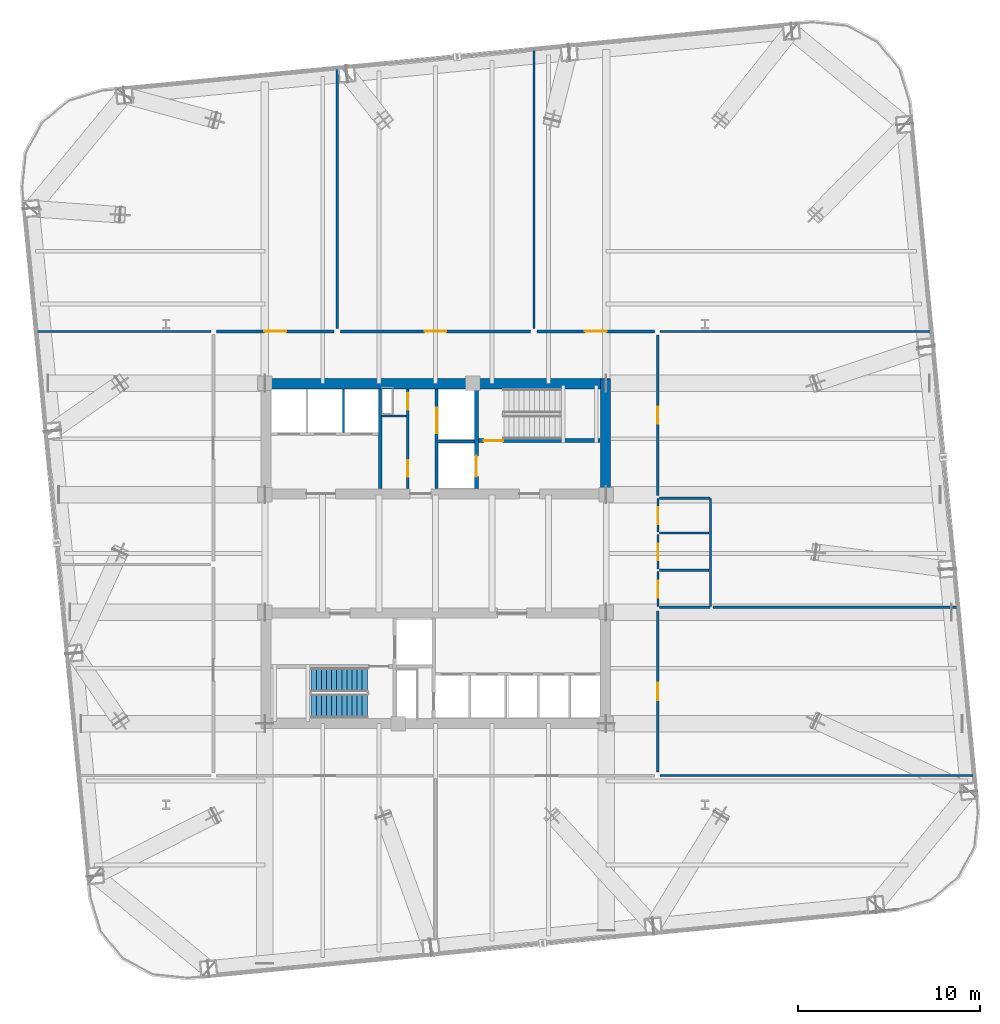
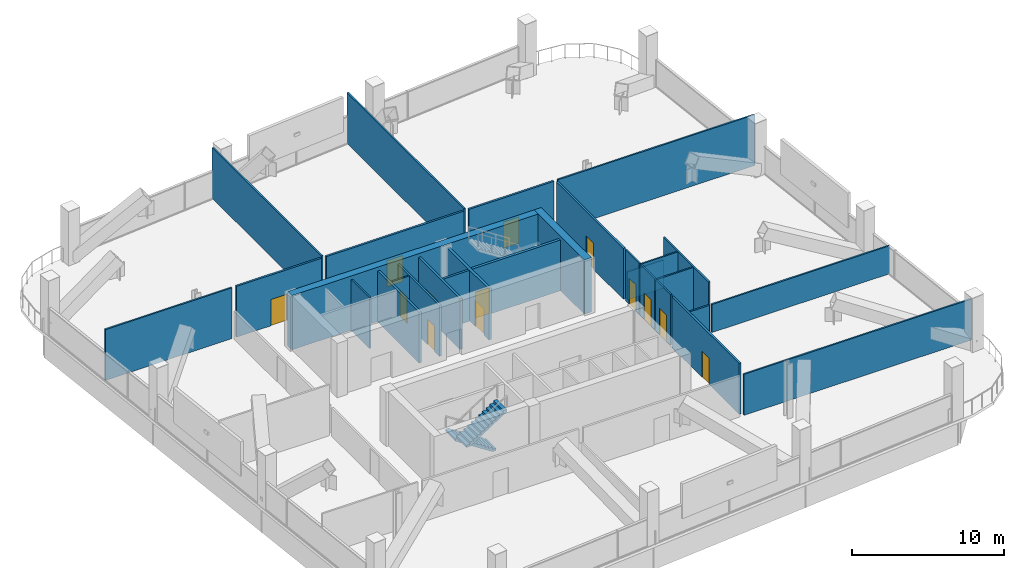
# One storey, part 26 of 30: 29 walls, 13 doors, 2 stair flights, 13 openings, 1 element without a shape of its own.
"""IFC4 building model written with IfcOpenShell, lengths in metres."""

from ifc_helpers import new_model, si_unit, direction, frame, frame_2d, origin, place, context, subcontext, project, spatial, polyline, rectangle, outline, extrude, material, layer, layer_set, type_object, element, fill, aggregate, save


model = new_model("IFC4")

# Units and contexts
model_context = context("Model", 3, precision=1e-05, world=origin(), true_north=direction((0.0, 1.0)))
body_context = subcontext(model_context, "Body", "Model", "MODEL_VIEW")
ifc_project = project(units=[si_unit("LENGTHUNIT", "METRE"), si_unit("AREAUNIT", "SQUARE_METRE"), si_unit("VOLUMEUNIT", "CUBIC_METRE"), si_unit("PLANEANGLEUNIT", "RADIAN"), si_unit("MASSUNIT", "GRAM", prefix="KILO")], contexts=[model_context])

# Site, building, storey
site_placement = place(None, origin())
site = spatial("IfcSite", under=ifc_project, at=site_placement, CompositionType="ELEMENT")
building_placement = place(site_placement, origin())
building = spatial("IfcBuilding", under=site, at=building_placement, Name="Qhalaya Broadcast Tower", CompositionType="ELEMENT")
storey_placement = place(building_placement, frame((0.0, 0.0, 96.89990234375)))
storey = spatial("IfcBuildingStorey", under=building, at=storey_placement, Name="L28", CompositionType="ELEMENT", Elevation=96.89990234375)

# Wall, openings, doors
ifc_material_1 = material(Name="Gypsum Acoustic Partition")
ifc_layer_1 = layer(ifc_material_1, 0.14990234375, Name="Gypsum Acoustic Partition")
ifc_layer_set_1 = layer_set([ifc_layer_1], Name="Gypsum Acoustic Partition")
wall_type_1 = type_object("IfcWallType", Name="Corridor & Tenancy Acoustic Partition 150", PredefinedType="PARTITIONING", material=ifc_layer_set_1)
wall_1_placement = place(storey_placement, frame((-1.52001953125, 4.169921875, 0.0), z_axis=(0.0, 0.0, 1.0), x_axis=(0.0, 1.0, 0.0)))
wall_1 = element("IfcWall", 1, at=wall_1_placement, inside=storey, type_object=wall_type_1, Name="L28 Partition Wall NCW-SVL", PredefinedType="PARTITIONING", context=body_context, shape_type="SweptSolid", body=[
    extrude(rectangle(XDim=5.4599609375, YDim=0.14990234375, at=frame_2d((2.72998046875, 0.0))), origin(), (0.0, 0.0, 1.0), 4.070068359375),
])
opening_1_placement = place(wall_1_placement, frame((4.330078125, 0.0, 0.0)))
opening_1 = element("IfcOpeningElement", 2, at=opening_1_placement, cuts=wall_1, Name="Opening D06", PredefinedType="OPENING", context=body_context, shape_type="SweptSolid", body=[
    extrude(rectangle(XDim=0.89990234375, YDim=2.050048828125, at=frame_2d((0.449951171875, 1.02490234375))), frame((0.0, 0.0869140625, 0.0), z_axis=(0.0, -1.0, 0.0), x_axis=(1.0, 0.0, 0.0)), (0.0, 0.0, 1.0), 0.173828125),
])
opening_2_placement = place(wall_1_placement, frame((0.64990234375, 0.0, 0.0)))
opening_2 = element("IfcOpeningElement", 3, at=opening_2_placement, cuts=wall_1, Name="Opening D06", PredefinedType="OPENING", context=body_context, shape_type="SweptSolid", body=[
    extrude(rectangle(XDim=0.89990234375, YDim=2.050048828125, at=frame_2d((0.449951171875, 1.02490234375))), frame((0.0, 0.0869140625, 0.0), z_axis=(0.0, -1.0, 0.0), x_axis=(1.0, 0.0, 0.0)), (0.0, 0.0, 1.0), 0.173828125),
])
ifc_material_2 = material(Name="Fire-Rated Steel Door", Category="steel")
door_type_1 = type_object("IfcDoorType", Name="Riser & Electrical Shaft Access Door D06", OperationType="NOTDEFINED", PredefinedType="DOOR", material=ifc_material_2)
door_1_placement = place(opening_1_placement, origin())
door_1 = element("IfcDoor", 4, at=door_1_placement, inside=storey, type_object=door_type_1, Name="L28 Riser Shaft Access Door D-NRSR", OperationType="SINGLE_SWING_RIGHT", OverallHeight=2.050048828125, OverallWidth=0.89990234375, PredefinedType="DOOR", context=body_context, shape_type="SweptSolid", body=[
    extrude(rectangle(XDim=0.89990234375, YDim=2.050048828125, at=frame_2d((0.449951171875, 1.02490234375))), frame((0.0, 0.02490234375, 0.0), z_axis=(0.0, -1.0, 0.0), x_axis=(1.0, 0.0, 0.0)), (0.0, 0.0, 1.0), 0.050048828125),
])
fill(opening_1, door_1)
door_2_placement = place(opening_2_placement, origin())
door_2 = element("IfcDoor", 5, at=door_2_placement, inside=storey, type_object=door_type_1, Name="L28 Door D-NCST", OperationType="SINGLE_SWING_LEFT", OverallHeight=2.050048828125, OverallWidth=0.89990234375, PredefinedType="DOOR", context=body_context, shape_type="SweptSolid", body=[
    extrude(rectangle(XDim=0.89990234375, YDim=2.050048828125, at=frame_2d((0.449951171875, 1.02490234375))), frame((0.0, 0.02490234375, 0.0), z_axis=(0.0, -1.0, 0.0), x_axis=(1.0, 0.0, 0.0)), (0.0, 0.0, 1.0), 0.050048828125),
])
fill(opening_2, door_2)

# Wall, opening, door
wall_2_placement = place(storey_placement, frame((-12.02001953125, 12.800048828125, 0.0), z_axis=(0.0, 0.0, 1.0), x_axis=(1.0, 0.0, 0.0)))
wall_2 = element("IfcWall", 6, at=wall_2_placement, inside=storey, type_object=wall_type_1, Name="L28 Partition Wall W-COR-01", PredefinedType="PARTITIONING", context=body_context, shape_type="SweptSolid", body=[
    extrude(rectangle(XDim=6.43994140625, YDim=0.14990234375, at=frame_2d((3.219970703125, 0.0))), origin(), (0.0, 0.0, 1.0), 4.070068359375),
])
opening_3_placement = place(wall_2_placement, frame((2.6201171875, 0.0, 0.0)))
opening_3 = element("IfcOpeningElement", 7, at=opening_3_placement, cuts=wall_2, Name="Opening D11", PredefinedType="OPENING", context=body_context, shape_type="SweptSolid", body=[
    extrude(rectangle(XDim=1.199951171875, YDim=2.10009765625, at=frame_2d((0.60009765625, 1.050048828125))), frame((0.0, 0.0869140625, 0.0), z_axis=(0.0, -1.0, 0.0), x_axis=(1.0, 0.0, 0.0)), (0.0, 0.0, 1.0), 0.173828125),
])
ifc_material_3 = material(Name="Anodised Aluminium Glazed Door", Category="aluminium")
door_type_2 = type_object("IfcDoorType", Name="Conference, Boardroom & Studio Control Door D11", OperationType="NOTDEFINED", PredefinedType="DOOR", material=ifc_material_3)
door_3_placement = place(opening_3_placement, origin())
door_3 = element("IfcDoor", 8, at=door_3_placement, inside=storey, type_object=door_type_2, Name="L28 Door D-RM01", OperationType="SINGLE_SWING_RIGHT", OverallHeight=2.10009765625, OverallWidth=1.199951171875, PredefinedType="DOOR", context=body_context, shape_type="SweptSolid", body=[
    extrude(rectangle(XDim=1.199951171875, YDim=2.10009765625, at=frame_2d((0.60009765625, 1.050048828125))), frame((0.0, 0.02490234375, 0.0), z_axis=(0.0, -1.0, 0.0), x_axis=(1.0, 0.0, 0.0)), (0.0, 0.0, 1.0), 0.050048828125),
])
fill(opening_3, door_3)

wall_3_placement = place(storey_placement, frame((-5.219970703125, 12.800048828125, 0.0), z_axis=(0.0, 0.0, 1.0), x_axis=(1.0, 0.0, 0.0)))
wall_3 = element("IfcWall", 9, at=wall_3_placement, inside=storey, type_object=wall_type_1, Name="L28 Partition Wall W-COR-02", PredefinedType="PARTITIONING", context=body_context, shape_type="SweptSolid", body=[
    extrude(rectangle(XDim=10.43994140625, YDim=0.14990234375, at=frame_2d((5.219970703125, 0.0))), origin(), (0.0, 0.0, 1.0), 4.070068359375),
])
opening_4_placement = place(wall_3_placement, frame((4.6201171875, 0.0, 0.0)))
opening_4 = element("IfcOpeningElement", 10, at=opening_4_placement, cuts=wall_3, Name="Opening D11", PredefinedType="OPENING", context=body_context, shape_type="SweptSolid", body=[
    extrude(rectangle(XDim=1.199951171875, YDim=2.10009765625, at=frame_2d((0.60009765625, 1.050048828125))), frame((0.0, 0.0869140625, 0.0), z_axis=(0.0, -1.0, 0.0), x_axis=(1.0, 0.0, 0.0)), (0.0, 0.0, 1.0), 0.173828125),
])
door_4_placement = place(opening_4_placement, origin())
door_4 = element("IfcDoor", 11, at=door_4_placement, inside=storey, type_object=door_type_2, Name="L28 Door D-RM02", OperationType="SINGLE_SWING_LEFT", OverallHeight=2.10009765625, OverallWidth=1.199951171875, PredefinedType="DOOR", context=body_context, shape_type="SweptSolid", body=[
    extrude(rectangle(XDim=1.199951171875, YDim=2.10009765625, at=frame_2d((0.60009765625, 1.050048828125))), frame((0.0, 0.02490234375, 0.0), z_axis=(0.0, -1.0, 0.0), x_axis=(1.0, 0.0, 0.0)), (0.0, 0.0, 1.0), 0.050048828125),
])
fill(opening_4, door_4)

wall_4_placement = place(storey_placement, frame((5.580078125, 12.800048828125, 0.0), z_axis=(0.0, 0.0, 1.0), x_axis=(1.0, 0.0, 0.0)))
wall_4 = element("IfcWall", 12, at=wall_4_placement, inside=storey, type_object=wall_type_1, Name="L28 Partition Wall W-COR-03", PredefinedType="PARTITIONING", context=body_context, shape_type="SweptSolid", body=[
    extrude(rectangle(XDim=6.43994140625, YDim=0.14990234375, at=frame_2d((3.219970703125, 0.0))), origin(), (0.0, 0.0, 1.0), 4.070068359375),
])
opening_5_placement = place(wall_4_placement, frame((2.6201171875, 0.0, 0.0)))
opening_5 = element("IfcOpeningElement", 13, at=opening_5_placement, cuts=wall_4, Name="Opening D11", PredefinedType="OPENING", context=body_context, shape_type="SweptSolid", body=[
    extrude(rectangle(XDim=1.199951171875, YDim=2.10009765625, at=frame_2d((0.60009765625, 1.050048828125))), frame((0.0, 0.0869140625, 0.0), z_axis=(0.0, -1.0, 0.0), x_axis=(1.0, 0.0, 0.0)), (0.0, 0.0, 1.0), 0.173828125),
])
door_5_placement = place(opening_5_placement, origin())
door_5 = element("IfcDoor", 14, at=door_5_placement, inside=storey, type_object=door_type_2, Name="L28 Door D-RM03", OperationType="SINGLE_SWING_RIGHT", OverallHeight=2.10009765625, OverallWidth=1.199951171875, PredefinedType="DOOR", context=body_context, shape_type="SweptSolid", body=[
    extrude(rectangle(XDim=1.199951171875, YDim=2.10009765625, at=frame_2d((0.60009765625, 1.050048828125))), frame((0.0, 0.02490234375, 0.0), z_axis=(0.0, -1.0, 0.0), x_axis=(1.0, 0.0, 0.0)), (0.0, 0.0, 1.0), 0.050048828125),
])
fill(opening_5, door_5)

wall_5_placement = place(storey_placement, frame((12.199951171875, -11.39990234375, 0.0), z_axis=(0.0, 0.0, 1.0), x_axis=(0.0, 1.0, 0.0)))
wall_5 = element("IfcWall", 15, at=wall_5_placement, inside=storey, type_object=wall_type_1, Name="L28 Partition Wall W-COR-08", PredefinedType="PARTITIONING", context=body_context, shape_type="SweptSolid", body=[
    extrude(rectangle(XDim=8.83984375, YDim=0.14990234375, at=frame_2d((4.419921875, 0.0))), origin(), (0.0, 0.0, 1.0), 4.070068359375),
])
opening_6_placement = place(wall_5_placement, frame((3.945068359375, 0.0, 0.0)))
opening_6 = element("IfcOpeningElement", 16, at=opening_6_placement, cuts=wall_5, Name="Opening D10", PredefinedType="OPENING", context=body_context, shape_type="SweptSolid", body=[
    extrude(rectangle(XDim=0.949951171875, YDim=2.10009765625, at=frame_2d((0.47509765625, 1.050048828125))), frame((0.0, 0.0869140625, 0.0), z_axis=(0.0, -1.0, 0.0), x_axis=(1.0, 0.0, 0.0)), (0.0, 0.0, 1.0), 0.173828125),
])
ifc_material_4 = material(Name="Timber Veneer Acoustic Door", Category="wood")
door_type_3 = type_object("IfcDoorType", Name="Cellular Office & Edit Booth Door D10", OperationType="NOTDEFINED", PredefinedType="DOOR", material=ifc_material_4)
door_6_placement = place(opening_6_placement, origin())
door_6 = element("IfcDoor", 17, at=door_6_placement, inside=storey, type_object=door_type_3, Name="L28 Door D-RM08", OperationType="SINGLE_SWING_LEFT", OverallHeight=2.10009765625, OverallWidth=0.949951171875, PredefinedType="DOOR", context=body_context, shape_type="SweptSolid", body=[
    extrude(rectangle(XDim=0.949951171875, YDim=2.10009765625, at=frame_2d((0.47509765625, 1.050048828125))), frame((0.0, 0.02490234375, 0.0), z_axis=(0.0, -1.0, 0.0), x_axis=(1.0, 0.0, 0.0)), (0.0, 0.0, 1.0), 0.050048828125),
])
fill(opening_6, door_6)

wall_6_placement = place(storey_placement, frame((12.199951171875, 3.800048828125, 0.0), z_axis=(0.0, 0.0, 1.0), x_axis=(0.0, 1.0, 0.0)))
wall_6 = element("IfcWall", 18, at=wall_6_placement, inside=storey, type_object=wall_type_1, Name="L28 Partition Wall W-COR-09", PredefinedType="PARTITIONING", context=body_context, shape_type="SweptSolid", body=[
    extrude(rectangle(XDim=8.800048828125, YDim=0.14990234375, at=frame_2d((4.39990234375, 0.0))), origin(), (0.0, 0.0, 1.0), 4.070068359375),
])
opening_7_placement = place(wall_6_placement, frame((3.925048828125, 0.0, 0.0)))
opening_7 = element("IfcOpeningElement", 19, at=opening_7_placement, cuts=wall_6, Name="Opening D10", PredefinedType="OPENING", context=body_context, shape_type="SweptSolid", body=[
    extrude(rectangle(XDim=0.949951171875, YDim=2.10009765625, at=frame_2d((0.47509765625, 1.050048828125))), frame((0.0, 0.0869140625, 0.0), z_axis=(0.0, -1.0, 0.0), x_axis=(1.0, 0.0, 0.0)), (0.0, 0.0, 1.0), 0.173828125),
])
door_7_placement = place(opening_7_placement, origin())
door_7 = element("IfcDoor", 20, at=door_7_placement, inside=storey, type_object=door_type_3, Name="L28 Door D-RM09", OperationType="SINGLE_SWING_RIGHT", OverallHeight=2.10009765625, OverallWidth=0.949951171875, PredefinedType="DOOR", context=body_context, shape_type="SweptSolid", body=[
    extrude(rectangle(XDim=0.949951171875, YDim=2.10009765625, at=frame_2d((0.47509765625, 1.050048828125))), frame((0.0, 0.02490234375, 0.0), z_axis=(0.0, -1.0, 0.0), x_axis=(1.0, 0.0, 0.0)), (0.0, 0.0, 1.0), 0.050048828125),
])
fill(opening_7, door_7)

ifc_material_5 = material(Name="Concrete C50/60", Category="concrete")
ifc_layer_2 = layer(ifc_material_5, 0.199951171875, Name="Concrete C50/60")
ifc_layer_set_2 = layer_set([ifc_layer_2], Name="Concrete C50/60")
wall_type_2 = type_object("IfcWallType", Name="Load-Bearing Stair Shaft Wall 200", PredefinedType="SHEAR", material=ifc_layer_set_2)
wall_7_placement = place(storey_placement, frame((2.360107421875, 6.804931640625, 0.0), z_axis=(0.0, 0.0, 1.0), x_axis=(1.0, 0.0, 0.0)))
wall_7 = element("IfcWall", 21, at=wall_7_placement, inside=storey, type_object=wall_type_2, Name="L28 Stair Core Shear Wall NCW-ST1", PredefinedType="SHEAR", context=body_context, shape_type="SweptSolid", body=[
    extrude(rectangle(XDim=6.669921875, YDim=0.199951171875, at=frame_2d((3.3349609375, 0.0))), origin(), (0.0, 0.0, 1.0), 4.070068359375),
])
opening_8_placement = place(wall_7_placement, frame((0.300048828125, 0.0, 0.0)))
opening_8 = element("IfcOpeningElement", 22, at=opening_8_placement, cuts=wall_7, Name="Opening D03", PredefinedType="OPENING", context=body_context, shape_type="SweptSolid", body=[
    extrude(rectangle(XDim=1.050048828125, YDim=2.080078125, at=frame_2d((0.52490234375, 1.0400390625))), frame((0.0, 0.112060546875, 0.0), z_axis=(0.0, -1.0, 0.0), x_axis=(1.0, 0.0, 0.0)), (0.0, 0.0, 1.0), 0.223876953125),
])
door_type_4 = type_object("IfcDoorType", Name="Core Stair Protected Fire Door D03", OperationType="NOTDEFINED", PredefinedType="DOOR", material=ifc_material_2)
door_8_placement = place(opening_8_placement, origin())
door_8 = element("IfcDoor", 23, at=door_8_placement, inside=storey, type_object=door_type_4, Name="L28 Door D-NST1", OperationType="SINGLE_SWING_LEFT", OverallHeight=2.080078125, OverallWidth=1.050048828125, PredefinedType="DOOR", context=body_context, shape_type="SweptSolid", body=[
    extrude(rectangle(XDim=1.050048828125, YDim=2.080078125, at=frame_2d((0.52490234375, 1.0400390625))), frame((0.0, 0.02490234375, 0.0), z_axis=(0.0, -1.0, 0.0), x_axis=(1.0, 0.0, 0.0)), (0.0, 0.0, 1.0), 0.050048828125),
])
fill(opening_8, door_8)

wall_8_placement = place(storey_placement, frame((2.25, 4.169921875, 0.0), z_axis=(0.0, 0.0, 1.0), x_axis=(0.0, 1.0, 0.0)))
wall_8 = element("IfcWall", 24, at=wall_8_placement, inside=storey, type_object=wall_type_2, Name="L28 Stair Core Shear Wall NCW-FF", PredefinedType="SHEAR", context=body_context, shape_type="SweptSolid", body=[
    extrude(rectangle(XDim=5.4599609375, YDim=0.199951171875, at=frame_2d((2.72998046875, 0.0))), origin(), (0.0, 0.0, 1.0), 4.070068359375),
])
opening_9_placement = place(wall_8_placement, frame((0.64990234375, 0.0, 0.0)))
opening_9 = element("IfcOpeningElement", 25, at=opening_9_placement, cuts=wall_8, Name="Opening LD2", PredefinedType="OPENING", context=body_context, shape_type="SweptSolid", body=[
    extrude(rectangle(XDim=1.14990234375, YDim=2.080078125, at=frame_2d((0.574951171875, 1.0400390625))), frame((0.0, 0.112060546875, 0.0), z_axis=(0.0, -1.0, 0.0), x_axis=(1.0, 0.0, 0.0)), (0.0, 0.0, 1.0), 0.223876953125),
])
ifc_material_6 = material(Name="Brushed Stainless Steel Lift Door", Category="steel")
door_type_5 = type_object("IfcDoorType", Name="Firefighting Lift Sliding Landing Door LD2", OperationType="DOUBLE_DOOR_SLIDING", PredefinedType="DOOR", material=ifc_material_6)
door_9_placement = place(opening_9_placement, origin())
door_9 = element("IfcDoor", 26, at=door_9_placement, inside=storey, type_object=door_type_5, Name="L28 Door LD-FF1", OperationType="DOUBLE_DOOR_SLIDING", OverallHeight=2.080078125, OverallWidth=1.14990234375, PredefinedType="DOOR", context=body_context, shape_type="SweptSolid", body=[
    extrude(rectangle(XDim=1.14990234375, YDim=2.080078125, at=frame_2d((0.574951171875, 1.0400390625))), frame((0.0, 0.02490234375, 0.0), z_axis=(0.0, -1.0, 0.0), x_axis=(1.0, 0.0, 0.0)), (0.0, 0.0, 1.0), 0.050048828125),
])
fill(opening_9, door_9)

# Walls
ifc_material_7 = material(Name="Concrete C60/75", Category="concrete")
ifc_layer_3 = layer(ifc_material_7, 0.550048828125, Name="Concrete C60/75")
ifc_layer_set_3 = layer_set([ifc_layer_3], Name="Concrete C60/75")
wall_type_3 = type_object("IfcWallType", Name="Lower Split-Core Shear Wall 550", PredefinedType="SHEAR", material=ifc_layer_set_3)
wall_9_placement = place(storey_placement, frame((-9.60009765625, 9.925048828125, 0.0), z_axis=(0.0, 0.0, 1.0), x_axis=(1.0, 0.0, 0.0)))
element("IfcWall", 27, at=wall_9_placement, inside=storey, type_object=wall_type_3, Name="L28 Split-Core Shear Wall CW-NN", PredefinedType="SHEAR", context=body_context, shape_type="SweptSolid", body=[
    extrude(rectangle(XDim=19.2001953125, YDim=0.550048828125, at=frame_2d((9.60009765625, 0.0))), origin(), (0.0, 0.0, 1.0), 4.35009765625),
])
wall_10_placement = place(storey_placement, frame((9.324951171875, 3.60009765625, 0.0), z_axis=(0.0, 0.0, 1.0), x_axis=(0.0, 1.0, 0.0)))
element("IfcWall", 28, at=wall_10_placement, inside=storey, type_object=wall_type_3, Name="L28 Split-Core Shear Wall CW-NE", PredefinedType="SHEAR", context=body_context, shape_type="SweptSolid", body=[
    extrude(rectangle(XDim=6.599853515625, YDim=0.550048828125, at=frame_2d((3.2998046875, 0.0))), origin(), (0.0, 0.0, 1.0), 4.35009765625),
])
ifc_layer_4 = layer(ifc_material_1, 0.1201171875, Name="Gypsum Acoustic Partition")
ifc_layer_set_4 = layer_set([ifc_layer_4], Name="Gypsum Acoustic Partition")
wall_type_4 = type_object("IfcWallType", Name="Office, Booth & Sanitary Partition 120", PredefinedType="PARTITIONING", material=ifc_layer_set_4)
wall_11_placement = place(storey_placement, frame((-2.9599609375, 8.14990234375, 0.0), z_axis=(0.0, 0.0, 1.0), x_axis=(1.0, 0.0, 0.0)))
element("IfcWall", 29, at=wall_11_placement, inside=storey, type_object=wall_type_4, Name="L28 Partition Wall NCW-VA", PredefinedType="PARTITIONING", context=body_context, shape_type="SweptSolid", body=[
    extrude(rectangle(XDim=1.35986328125, YDim=0.1201171875, at=frame_2d((0.679931640625, 0.0))), origin(), (0.0, 0.0, 1.0), 4.070068359375),
])
wall_12_placement = place(storey_placement, frame((-5.06005859375, 7.25, 0.0), z_axis=(0.0, 0.0, 1.0), x_axis=(0.0, 1.0, 0.0)))
element("IfcWall", 30, at=wall_12_placement, inside=storey, type_object=wall_type_4, Name="L28 Partition Wall NCW-PD2", PredefinedType="PARTITIONING", context=body_context, shape_type="SweptSolid", body=[
    extrude(rectangle(XDim=2.3798828125, YDim=0.1201171875, at=frame_2d((1.18994140625, 0.0))), origin(), (0.0, 0.0, 1.0), 4.070068359375),
])

# Wall, opening, door
wall_13_placement = place(storey_placement, frame((12.219970703125, -2.320068359375, 0.0), z_axis=(0.0, 0.0, 1.0), x_axis=(0.0, 1.0, 0.0)))
wall_13 = element("IfcWall", 31, at=wall_13_placement, inside=storey, type_object=wall_type_4, Name="L28 Partition Wall W-WCWA", PredefinedType="PARTITIONING", context=body_context, shape_type="SweptSolid", body=[
    extrude(rectangle(XDim=1.940185546875, YDim=0.1201171875, at=frame_2d((0.97021484375, 0.0))), origin(), (0.0, 0.0, 1.0), 4.070068359375),
])
opening_10_placement = place(wall_13_placement, frame((0.4951171875, 0.0, 0.0)))
opening_10 = element("IfcOpeningElement", 32, at=opening_10_placement, cuts=wall_13, Name="Opening D12", PredefinedType="OPENING", context=body_context, shape_type="SweptSolid", body=[
    extrude(rectangle(XDim=0.919921875, YDim=2.10009765625, at=frame_2d((0.4599609375, 1.050048828125))), frame((0.0, 0.072021484375, 0.0), z_axis=(0.0, -1.0, 0.0), x_axis=(1.0, 0.0, 0.0)), (0.0, 0.0, 1.0), 0.14404296875),
])
door_type_6 = type_object("IfcDoorType", Name="Accessible WC & Restroom Door D12", OperationType="NOTDEFINED", PredefinedType="DOOR", material=ifc_material_4)
door_10_placement = place(opening_10_placement, origin())
door_10 = element("IfcDoor", 33, at=door_10_placement, inside=storey, type_object=door_type_6, Name="L28 Door D-WCA", OperationType="SINGLE_SWING_LEFT", OverallHeight=2.10009765625, OverallWidth=0.919921875, PredefinedType="DOOR", context=body_context, shape_type="SweptSolid", body=[
    extrude(rectangle(XDim=0.919921875, YDim=2.10009765625, at=frame_2d((0.4599609375, 1.050048828125))), frame((0.0, 0.02490234375, 0.0), z_axis=(0.0, -1.0, 0.0), x_axis=(1.0, 0.0, 0.0)), (0.0, 0.0, 1.0), 0.050048828125),
])
fill(opening_10, door_10)

wall_14_placement = place(storey_placement, frame((12.219970703125, -0.25, 0.0), z_axis=(0.0, 0.0, 1.0), x_axis=(0.0, 1.0, 0.0)))
wall_14 = element("IfcWall", 34, at=wall_14_placement, inside=storey, type_object=wall_type_4, Name="L28 Partition Wall W-WCWM", PredefinedType="PARTITIONING", context=body_context, shape_type="SweptSolid", body=[
    extrude(rectangle(XDim=1.89990234375, YDim=0.1201171875, at=frame_2d((0.949951171875, 0.0))), origin(), (0.0, 0.0, 1.0), 4.070068359375),
])
opening_11_placement = place(wall_14_placement, frame((0.47509765625, 0.0, 0.0)))
opening_11 = element("IfcOpeningElement", 35, at=opening_11_placement, cuts=wall_14, Name="Opening D12", PredefinedType="OPENING", context=body_context, shape_type="SweptSolid", body=[
    extrude(rectangle(XDim=0.919921875, YDim=2.10009765625, at=frame_2d((0.4599609375, 1.050048828125))), frame((0.0, 0.072021484375, 0.0), z_axis=(0.0, -1.0, 0.0), x_axis=(1.0, 0.0, 0.0)), (0.0, 0.0, 1.0), 0.14404296875),
])
door_11_placement = place(opening_11_placement, origin())
door_11 = element("IfcDoor", 36, at=door_11_placement, inside=storey, type_object=door_type_6, Name="L28 Door D-WCM", OperationType="SINGLE_SWING_RIGHT", OverallHeight=2.10009765625, OverallWidth=0.919921875, PredefinedType="DOOR", context=body_context, shape_type="SweptSolid", body=[
    extrude(rectangle(XDim=0.919921875, YDim=2.10009765625, at=frame_2d((0.4599609375, 1.050048828125))), frame((0.0, 0.02490234375, 0.0), z_axis=(0.0, -1.0, 0.0), x_axis=(1.0, 0.0, 0.0)), (0.0, 0.0, 1.0), 0.050048828125),
])
fill(opening_11, door_11)

wall_15_placement = place(storey_placement, frame((12.219970703125, 1.780029296875, 0.0), z_axis=(0.0, 0.0, 1.0), x_axis=(0.0, 1.0, 0.0)))
wall_15 = element("IfcWall", 37, at=wall_15_placement, inside=storey, type_object=wall_type_4, Name="L28 Partition Wall W-WCWF", PredefinedType="PARTITIONING", context=body_context, shape_type="SweptSolid", body=[
    extrude(rectangle(XDim=1.830078125, YDim=0.1201171875, at=frame_2d((0.9150390625, 0.0))), origin(), (0.0, 0.0, 1.0), 4.070068359375),
])
opening_12_placement = place(wall_15_placement, frame((0.43994140625, 0.0, 0.0)))
opening_12 = element("IfcOpeningElement", 38, at=opening_12_placement, cuts=wall_15, Name="Opening D12", PredefinedType="OPENING", context=body_context, shape_type="SweptSolid", body=[
    extrude(rectangle(XDim=0.919921875, YDim=2.10009765625, at=frame_2d((0.4599609375, 1.050048828125))), frame((0.0, 0.072021484375, 0.0), z_axis=(0.0, -1.0, 0.0), x_axis=(1.0, 0.0, 0.0)), (0.0, 0.0, 1.0), 0.14404296875),
])
door_12_placement = place(opening_12_placement, origin())
door_12 = element("IfcDoor", 39, at=door_12_placement, inside=storey, type_object=door_type_6, Name="L28 Door D-WCF", OperationType="SINGLE_SWING_LEFT", OverallHeight=2.10009765625, OverallWidth=0.919921875, PredefinedType="DOOR", context=body_context, shape_type="SweptSolid", body=[
    extrude(rectangle(XDim=0.919921875, YDim=2.10009765625, at=frame_2d((0.4599609375, 1.050048828125))), frame((0.0, 0.02490234375, 0.0), z_axis=(0.0, -1.0, 0.0), x_axis=(1.0, 0.0, 0.0)), (0.0, 0.0, 1.0), 0.050048828125),
])
fill(opening_12, door_12)

# Walls
wall_16_placement = place(storey_placement, frame((15.10009765625, -2.320068359375, 0.0), z_axis=(0.0, 0.0, 1.0), x_axis=(0.0, 1.0, 0.0)))
element("IfcWall", 40, at=wall_16_placement, inside=storey, type_object=wall_type_4, Name="L28 Partition Wall W-WCE", PredefinedType="PARTITIONING", context=body_context, shape_type="SweptSolid", body=[
    extrude(rectangle(XDim=5.93017578125, YDim=0.1201171875, at=frame_2d((2.965087890625, 0.0))), origin(), (0.0, 0.0, 1.0), 4.070068359375),
])
for number, where, z_axis, x_axis, name in (
    (41, (12.31005859375, -2.35009765625, 0.0), (0.0, 0.0, 1.0), (1.0, 0.0, 0.0), "L28 Partition Wall W-WCS"),
    (42, (12.31005859375, 3.639892578125, 0.0), (0.0, 0.0, 1.0), (1.0, 0.0, 0.0), "L28 Partition Wall W-WCN"),
):
    element("IfcWall", number, at=place(storey_placement, frame(where, z_axis=z_axis, x_axis=x_axis)), inside=storey, type_object=wall_type_4, Name=name, PredefinedType="PARTITIONING", context=body_context, shape_type="SweptSolid", body=[
        extrude(rectangle(XDim=2.760009765625, YDim=0.1201171875, at=frame_2d((1.3798828125, 0.0))), origin(), (0.0, 0.0, 1.0), 2.25),
    ])
for number, where, z_axis, x_axis, name in (
    (43, (12.31005859375, -0.320068359375, 0.0), (0.0, 0.0, 1.0), (1.0, 0.0, 0.0), "L28 Partition Wall W-WCD1"),
    (44, (12.31005859375, 1.719970703125, 0.0), (0.0, 0.0, 1.0), (1.0, 0.0, 0.0), "L28 Partition Wall W-WCD2"),
):
    element("IfcWall", number, at=place(storey_placement, frame(where, z_axis=z_axis, x_axis=x_axis)), inside=storey, type_object=wall_type_4, Name=name, PredefinedType="PARTITIONING", context=body_context, shape_type="SweptSolid", body=[
        extrude(rectangle(XDim=2.719970703125, YDim=0.1201171875, at=frame_2d((1.35986328125, 0.0))), origin(), (0.0, 0.0, 1.0), 4.070068359375),
    ])
wall_17_placement = place(storey_placement, frame((-21.94482421875, 12.800048828125, 0.0), z_axis=(0.0, 0.0, 1.0), x_axis=(1.0, 0.0, 0.0)))
element("IfcWall", 45, at=wall_17_placement, inside=storey, type_object=wall_type_4, Name="L28 Partition Wall W-BNDW1", PredefinedType="PARTITIONING", context=body_context, shape_type="SweptSolid", body=[
    extrude(rectangle(XDim=9.604736328125, YDim=0.1201171875, at=frame_2d((4.80224609375, 0.0))), origin(), (0.0, 0.0, 1.0), 4.070068359375),
])
wall_18_placement = place(storey_placement, frame((12.340087890625, 12.800048828125, 0.0), z_axis=(0.0, 0.0, 1.0), x_axis=(1.0, 0.0, 0.0)))
element("IfcWall", 46, at=wall_18_placement, inside=storey, type_object=wall_type_4, Name="L28 Partition Wall W-BNDE1", PredefinedType="PARTITIONING", context=body_context, shape_type="SweptSolid", body=[
    extrude(rectangle(XDim=14.901611328125, YDim=0.1201171875, at=frame_2d((7.45068359375, 0.0))), origin(), (0.0, 0.0, 1.0), 4.070068359375),
])
wall_19_placement = place(storey_placement, frame((12.340087890625, -11.60009765625, 0.0), z_axis=(0.0, 0.0, 1.0), x_axis=(1.0, 0.0, 0.0)))
element("IfcWall", 47, at=wall_19_placement, inside=storey, type_object=wall_type_4, Name="L28 Partition Wall W-BNDE2", PredefinedType="PARTITIONING", context=body_context, shape_type="SweptSolid", body=[
    extrude(rectangle(XDim=17.2509765625, YDim=0.1201171875, at=frame_2d((8.62548828125, 0.0))), origin(), (0.0, 0.0, 1.0), 3.2880859375),
])
wall_20_placement = place(storey_placement, frame((-5.39990234375, 12.9599609375, 0.0), z_axis=(0.0, 0.0, 1.0), x_axis=(0.0, 1.0, 0.0)))
element("IfcWall", 48, at=wall_20_placement, inside=storey, type_object=wall_type_4, Name="L28 Partition Wall W-DIVN1", PredefinedType="PARTITIONING", context=body_context, shape_type="SweptSolid", body=[
    extrude(rectangle(XDim=14.3125, YDim=0.1201171875, at=frame_2d((7.15625, 0.0))), origin(), (0.0, 0.0, 1.0), 4.070068359375),
])
wall_21_placement = place(storey_placement, frame((5.39990234375, 12.9599609375, 0.0), z_axis=(0.0, 0.0, 1.0), x_axis=(0.0, 1.0, 0.0)))
element("IfcWall", 49, at=wall_21_placement, inside=storey, type_object=wall_type_4, Name="L28 Partition Wall W-DIVN2", PredefinedType="PARTITIONING", context=body_context, shape_type="SweptSolid", body=[
    extrude(rectangle(XDim=15.352294921875, YDim=0.1201171875, at=frame_2d((7.67626953125, 0.0))), origin(), (0.0, 0.0, 1.0), 4.070068359375),
])
wall_22_placement = place(storey_placement, frame((15.239990234375, -2.35009765625, 0.0), z_axis=(0.0, 0.0, 1.0), x_axis=(1.0, 0.0, 0.0)))
element("IfcWall", 50, at=wall_22_placement, inside=storey, type_object=wall_type_4, Name="L28 Partition Wall W-DIVE-WC", PredefinedType="PARTITIONING", context=body_context, shape_type="SweptSolid", body=[
    extrude(rectangle(XDim=13.46044921875, YDim=0.1201171875, at=frame_2d((6.730224609375, 0.0))), origin(), (0.0, 0.0, 1.0), 2.25),
])

# Wall, opening, door
ifc_layer_5 = layer(ifc_material_1, 0.175048828125, Name="Gypsum Acoustic Partition")
ifc_layer_set_5 = layer_set([ifc_layer_5], Name="Gypsum Acoustic Partition")
wall_type_5 = type_object("IfcWallType", Name="Shaft & Riser Fire Partition 175", PredefinedType="PARTITIONING", material=ifc_layer_set_5)
wall_23_placement = place(storey_placement, frame((0.06005859375, 4.169921875, 0.0), z_axis=(0.0, 0.0, 1.0), x_axis=(0.0, 1.0, 0.0)))
wall_23 = element("IfcWall", 51, at=wall_23_placement, inside=storey, type_object=wall_type_5, Name="L28 Partition Wall NCW-SVW", PredefinedType="PARTITIONING", context=body_context, shape_type="SweptSolid", body=[
    extrude(rectangle(XDim=5.4599609375, YDim=0.175048828125, at=frame_2d((2.72998046875, 0.0))), origin(), (0.0, 0.0, 1.0), 4.070068359375),
])
opening_13_placement = place(wall_23_placement, frame((3.050048828125, 0.0, 0.0)))
opening_13 = element("IfcOpeningElement", 52, at=opening_13_placement, cuts=wall_23, Name="Opening LD3", PredefinedType="OPENING", context=body_context, shape_type="SweptSolid", body=[
    extrude(rectangle(XDim=1.39990234375, YDim=2.1201171875, at=frame_2d((0.699951171875, 1.06005859375))), frame((0.0, 0.099609375, 0.0), z_axis=(0.0, -1.0, 0.0), x_axis=(1.0, 0.0, 0.0)), (0.0, 0.0, 1.0), 0.198974609375),
])
door_type_7 = type_object("IfcDoorType", Name="Service Lift Wide Sliding Landing Door LD3", OperationType="DOUBLE_DOOR_SLIDING", PredefinedType="DOOR", material=ifc_material_6)
door_13_placement = place(opening_13_placement, origin())
door_13 = element("IfcDoor", 53, at=door_13_placement, inside=storey, type_object=door_type_7, Name="L28 Door LD-SV1", OperationType="DOUBLE_DOOR_SLIDING", OverallHeight=2.1201171875, OverallWidth=1.39990234375, PredefinedType="DOOR", context=body_context, shape_type="SweptSolid", body=[
    extrude(rectangle(XDim=1.39990234375, YDim=2.1201171875, at=frame_2d((0.699951171875, 1.06005859375))), frame((0.0, 0.02490234375, 0.0), z_axis=(0.0, -1.0, 0.0), x_axis=(1.0, 0.0, 0.0)), (0.0, 0.0, 1.0), 0.050048828125),
])
fill(opening_13, door_13)

# Walls
wall_24_placement = place(storey_placement, frame((0.159912109375, 6.75, 0.0), z_axis=(0.0, 0.0, 1.0), x_axis=(1.0, 0.0, 0.0)))
element("IfcWall", 54, at=wall_24_placement, inside=storey, type_object=wall_type_5, Name="L28 Partition Wall NCW-SVM", PredefinedType="PARTITIONING", context=body_context, shape_type="SweptSolid", body=[
    extrude(rectangle(XDim=1.97998046875, YDim=0.175048828125, at=frame_2d((0.989990234375, 0.0))), origin(), (0.0, 0.0, 1.0), 4.070068359375),
])
wall_25_placement = place(storey_placement, frame((-3.0400390625, 4.169921875, 0.0), z_axis=(0.0, 0.0, 1.0), x_axis=(0.0, 1.0, 0.0)))
element("IfcWall", 55, at=wall_25_placement, inside=storey, type_object=wall_type_5, Name="L28 Partition Wall NCW-VRW", PredefinedType="PARTITIONING", context=body_context, shape_type="SweptSolid", body=[
    extrude(rectangle(XDim=5.4599609375, YDim=0.175048828125, at=frame_2d((2.72998046875, 0.0))), origin(), (0.0, 0.0, 1.0), 4.070068359375),
])

# Stair, stair flights
ifc_material_8 = material(Name="Concrete C40/50", Category="concrete")
stair_type = type_object("IfcStairType", Name="Protected Dogleg Core Stair 4200", PredefinedType="TWO_STRAIGHT_RUN_STAIR", material=ifc_material_8)
stair_placement = place(storey_placement, origin())
stair = element("IfcStair", 56, at=stair_placement, inside=storey, type_object=stair_type, Name="L28 South Core Exit Stair ST-2", PredefinedType="TWO_STRAIGHT_RUN_STAIR")
ifc_material_9 = material(Name="Precast Concrete C40/50", Category="concrete")
stair_flight_type = type_object("IfcStairFlightType", Name="Precast Concrete Stair Flight 4200", PredefinedType="STRAIGHT", material=ifc_material_9)
stair_flight_1_placement = place(storey_placement, frame((-3.75, -6.340087890625, 0.0), z_axis=(0.0, 0.0, 1.0), x_axis=(-1.0, 0.0, 0.0)))
stair_flight_1 = element("IfcStairFlight", 57, at=stair_flight_1_placement, type_object=stair_flight_type, Name="ST-2 flight 1", NumberOfRisers=12, NumberOfTreads=11, PredefinedType="STRAIGHT", RiserHeight=0.18125, TreadLength=0.28, context=body_context, shape_type="SweptSolid", body=[
    extrude(outline(polyline([(0.0, 0.0), (0.0, 0.18115234375), (0.280029296875, 0.18115234375), (0.280029296875, 0.362548828125), (0.56005859375, 0.362548828125), (0.56005859375, 0.543701171875), (0.840087890625, 0.543701171875), (0.840087890625, 0.72509765625), (1.1201171875, 0.72509765625), (1.1201171875, 0.90625), (1.39990234375, 0.90625), (1.39990234375, 1.08740234375), (1.679931640625, 1.08740234375), (1.679931640625, 1.268798828125), (1.9599609375, 1.268798828125), (1.9599609375, 1.449951171875), (2.239990234375, 1.449951171875), (2.239990234375, 1.63134765625), (2.52001953125, 1.63134765625), (2.52001953125, 1.8125), (2.800048828125, 1.8125), (2.800048828125, 1.99365234375), (3.080078125, 1.99365234375), (3.080078125, 2.175048828125), (3.080078125, 1.815185546875), (0.27587890625, 0.0), (0.0, 0.0)])), frame((0.0, 0.66015625, 0.0), z_axis=(0.0, -1.0, 0.0), x_axis=(1.0, 0.0, 0.0)), (0.0, 0.0, 1.0), 1.320068359375),
])
stair_flight_2_placement = place(storey_placement, frame((-6.830078125, -7.780029296875, 2.175048828125), z_axis=(0.0, 0.0, 1.0), x_axis=(1.0, 0.0, 0.0)))
stair_flight_2 = element("IfcStairFlight", 58, at=stair_flight_2_placement, type_object=stair_flight_type, Name="ST-2 flight 2", NumberOfRisers=12, NumberOfTreads=11, PredefinedType="STRAIGHT", RiserHeight=0.18125, TreadLength=0.28, context=body_context, shape_type="SweptSolid", body=[
    extrude(outline(polyline([(0.0, 0.0), (0.0, 0.18115234375), (0.280029296875, 0.18115234375), (0.280029296875, 0.362548828125), (0.56005859375, 0.362548828125), (0.56005859375, 0.543701171875), (0.840087890625, 0.543701171875), (0.840087890625, 0.72509765625), (1.1201171875, 0.72509765625), (1.1201171875, 0.90625), (1.39990234375, 0.90625), (1.39990234375, 1.08740234375), (1.679931640625, 1.08740234375), (1.679931640625, 1.268798828125), (1.9599609375, 1.268798828125), (1.9599609375, 1.449951171875), (2.239990234375, 1.449951171875), (2.239990234375, 1.63134765625), (2.52001953125, 1.63134765625), (2.52001953125, 1.8125), (2.800048828125, 1.8125), (2.800048828125, 1.99365234375), (3.080078125, 1.99365234375), (3.080078125, 2.175048828125), (3.080078125, 1.815185546875), (0.27587890625, 0.0), (0.0, 0.0)])), frame((0.0, 0.66015625, 0.0), z_axis=(0.0, -1.0, 0.0), x_axis=(1.0, 0.0, 0.0)), (0.0, 0.0, 1.0), 1.320068359375),
])
aggregate(stair, [stair_flight_1, stair_flight_2])

save(model, "model.ifc")
